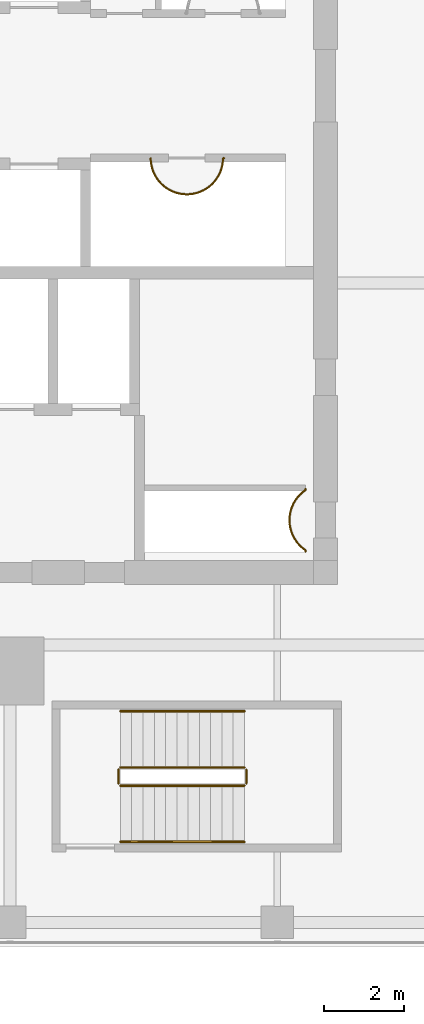
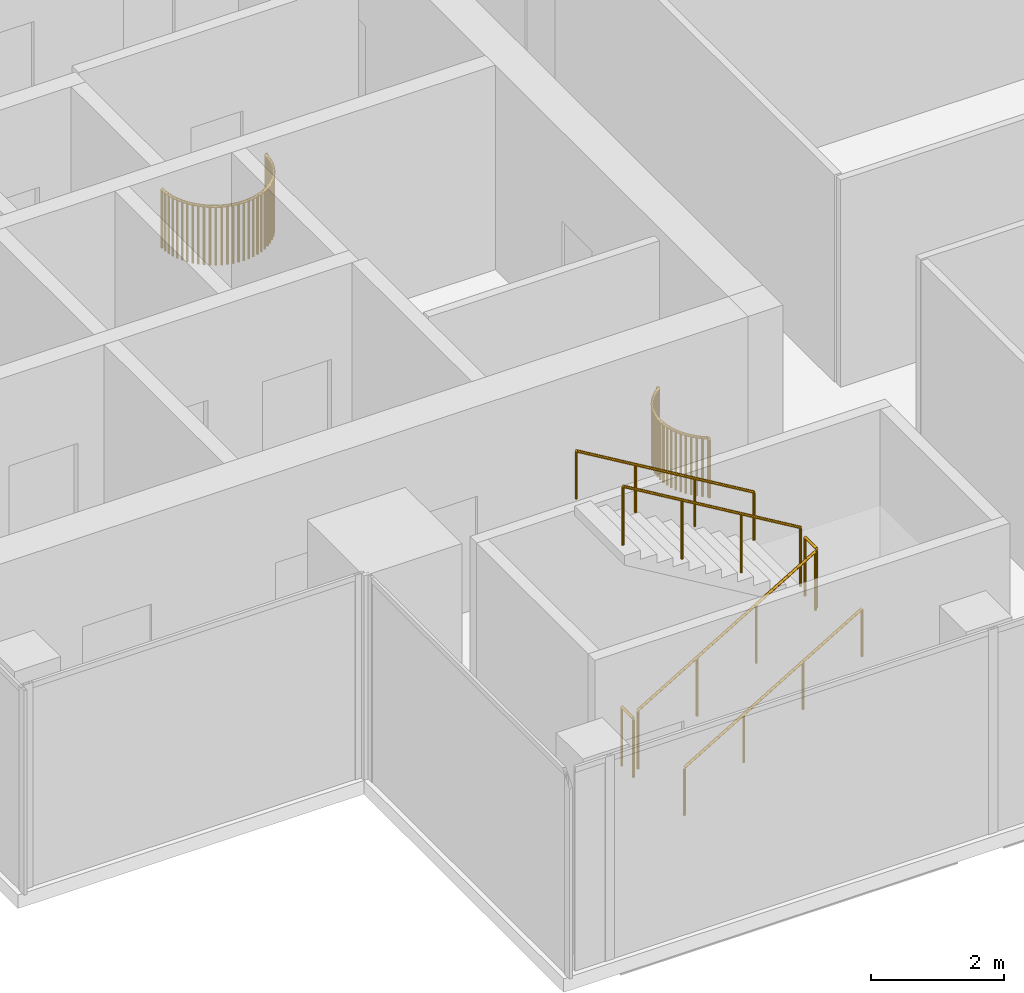
# One storey, part 26 of 28: 8 railings.
"""IFC4 building model written with IfcOpenShell, lengths in metres."""

import ifcopenshell
import ifcopenshell.guid

model = None  # the IFC model being written
_history = None  # IfcOwnerHistory: only IFC2X3 demands one
_inside = {}  # id of a spatial element -> (the spatial element, [elements in it])
_under = {}  # id of a project, library or spatial element -> (it, [spatial elements below it])
_declared = {}  # id of a project -> (the project, [libraries it declares])
_typed = {}  # id of a type object -> (the type object, [elements of that type])
_made_of = {}  # id of a material, layer set ... -> (it, [elements and type objects made of it])


def new_model(schema):
    """Start an empty IFC model of exactly this schema.

    Asked for "IFC4X3", IfcOpenShell would pick the latest addendum, in which some entities
    have other attributes; the version numbers below select the first issue.
    IFC2X3 requires an IfcOwnerHistory on every rooted entity: one is made here for all.
    """
    global model, _history
    if schema == "IFC4X3":
        model = ifcopenshell.file(schema_version=(4, 3, 0, 0))
    else:
        model = ifcopenshell.file(schema=schema)
    _inside.clear()
    _under.clear()
    _declared.clear()
    _typed.clear()
    _made_of.clear()
    _history = None
    if model.schema == "IFC2X3":
        org = make("IfcOrganization", Name="unknown")
        user = make(
            "IfcPersonAndOrganization",
            ThePerson=make("IfcPerson", FamilyName="unknown"),
            TheOrganization=org,
        )
        app = make(
            "IfcApplication",
            ApplicationDeveloper=org,
            Version="unknown",
            ApplicationFullName="unknown",
            ApplicationIdentifier="unknown",
        )
        _history = make(
            "IfcOwnerHistory",
            OwningUser=user,
            OwningApplication=app,
            ChangeAction="ADDED",
            CreationDate=0,
        )
    return model


def make(cls, **values):
    """One entity of the class cls with the attributes given. An attribute that is None is left unset."""
    return model.create_entity(
        cls, **{name: value for name, value in values.items() if value is not None}
    )


def rooted(cls, **values):
    """An entity with a GlobalId (a new one), such as an element, a storey or a relation."""
    return make(cls, GlobalId=ifcopenshell.guid.new(), OwnerHistory=_history, **values)


def si_unit(unit_type, name, prefix=None):
    """IfcSIUnit, for example si_unit("LENGTHUNIT", "METRE", prefix="MILLI")."""
    return make("IfcSIUnit", UnitType=unit_type, Prefix=prefix, Name=name)


def assignment(units):
    """IfcUnitAssignment: the units of a project."""
    return None if units is None else make("IfcUnitAssignment", Units=units)


def point(xyz):
    """IfcCartesianPoint."""
    return None if xyz is None else make("IfcCartesianPoint", Coordinates=xyz)


def direction(xyz):
    """IfcDirection."""
    return None if xyz is None else make("IfcDirection", DirectionRatios=xyz)


def frame(location, z_axis=None, x_axis=None):
    """IfcAxis2Placement3D, a coordinate frame: its origin and axes. An axis left out is left unset."""
    return make(
        "IfcAxis2Placement3D",
        Location=point(location),
        Axis=direction(z_axis),
        RefDirection=direction(x_axis),
    )


def frame_2d(location, x_axis=None):
    """IfcAxis2Placement2D, a coordinate frame in the plane: its origin and x axis."""
    return make(
        "IfcAxis2Placement2D", Location=point(location), RefDirection=direction(x_axis)
    )


def origin():
    """The frame at (0, 0, 0) with its axes left unset."""
    return frame((0.0, 0.0, 0.0))


def origin_2d():
    """The frame at (0, 0) in the plane with its x axis left unset."""
    return frame_2d((0.0, 0.0))


def place(relative_to, where):
    """IfcLocalPlacement: puts the frame where relative to a parent placement (None: the world)."""
    return make(
        "IfcLocalPlacement", PlacementRelTo=relative_to, RelativePlacement=where
    )


def context(
    kind, dimensions, precision=None, world=None, true_north=None, identifier=None
):
    """IfcGeometricRepresentationContext, for example the 3D "Model" context."""
    return make(
        "IfcGeometricRepresentationContext",
        ContextIdentifier=identifier,
        ContextType=kind,
        CoordinateSpaceDimension=dimensions,
        Precision=precision,
        WorldCoordinateSystem=world,
        TrueNorth=true_north,
    )


def subcontext(parent, identifier, kind, view, scale=None):
    """IfcGeometricRepresentationSubContext, for example "Body" below "Model"."""
    return make(
        "IfcGeometricRepresentationSubContext",
        ContextIdentifier=identifier,
        ContextType=kind,
        ParentContext=parent,
        TargetScale=scale,
        TargetView=view,
    )


def project(units=None, contexts=None):
    """IfcProject with its units and contexts."""
    return rooted(
        "IfcProject",
        Name="project",
        RepresentationContexts=contexts,
        UnitsInContext=assignment(units),
    )


def spatial(cls, under=None, at=None, **own):
    """A site, building, storey or space (cls), placed at a placement, below another one or the project."""
    s = rooted(cls, ObjectPlacement=at, **own)
    if under is not None:
        _under.setdefault(under.id(), (under, []))[1].append(s)
    return s


def profile(cls, at=None, kind="AREA", **sizes):
    """A parametric profile (cls). Its sizes go by their IFC names, for example OverallWidth=200.0."""
    return make(cls, ProfileType=kind, Position=at, **sizes)


def circle(**sizes):
    """IfcCircleProfileDef."""
    return profile("IfcCircleProfileDef", **sizes)


def extrude(swept, where, along, depth):
    """IfcExtrudedAreaSolid: the profile swept, set in the frame where, extruded along a direction by depth."""
    return make(
        "IfcExtrudedAreaSolid",
        SweptArea=swept,
        Position=where,
        ExtrudedDirection=direction(along),
        Depth=depth,
    )


def shape(context_of_items, identifier, shape_type, items):
    """IfcShapeRepresentation: the items that make up one representation, for example the "Body"."""
    return make(
        "IfcShapeRepresentation",
        ContextOfItems=context_of_items,
        RepresentationIdentifier=identifier,
        RepresentationType=shape_type,
        Items=items,
    )


def source(mapping_origin, context_of_items, identifier, shape_type, items):
    """IfcRepresentationMap: a shape defined once, which mapped items show again and again."""
    return make(
        "IfcRepresentationMap",
        MappingOrigin=mapping_origin,
        MappedRepresentation=shape(context_of_items, identifier, shape_type, items),
    )


def transform(
    local_origin,
    x_axis=None,
    y_axis=None,
    z_axis=None,
    scale=None,
    scale2=None,
    scale3=None,
    uniform=True,
):
    """IfcCartesianTransformationOperator3D, or its non-uniform kind. x_axis, y_axis, z_axis: its Axis1, 2, 3."""
    if uniform:
        return make(
            "IfcCartesianTransformationOperator3D",
            Axis1=direction(x_axis),
            Axis2=direction(y_axis),
            LocalOrigin=point(local_origin),
            Scale=scale,
            Axis3=direction(z_axis),
        )
    return make(
        "IfcCartesianTransformationOperator3DnonUniform",
        Axis1=direction(x_axis),
        Axis2=direction(y_axis),
        LocalOrigin=point(local_origin),
        Scale=scale,
        Axis3=direction(z_axis),
        Scale2=scale2,
        Scale3=scale3,
    )


def mapped(mapping_source, mapping_target):
    """IfcMappedItem: shows the shape of a source again, moved by a transform."""
    return make(
        "IfcMappedItem", MappingSource=mapping_source, MappingTarget=mapping_target
    )


def material(Name=None, Category=None):
    """IfcMaterial."""
    return make("IfcMaterial", Name=Name, Category=Category)


def made_of(thing, what):
    """Note that an element or type object is made of a material, layer set ...; save() writes the relation."""
    if what is not None:
        _made_of.setdefault(what.id(), (what, []))[1].append(thing)
    return thing


def type_object(cls, material=None, **own):
    """A type object (cls), such as IfcWallType, which elements share."""
    return made_of(rooted(cls, **own), material)


def element(
    cls,
    number,
    at=None,
    inside=None,
    cuts=None,
    type_object=None,
    material=None,
    context=None,
    identifier="Body",
    shape_type=None,
    held_by="IfcProductDefinitionShape",
    body=None,
    shapes=None,
    **own,
):
    """One element of the class cls, such as IfcWall. Its Tag is "e" and its number.

    at: its placement. inside: the storey or other place that contains it. cuts: it is an
    opening in that element (IfcRelVoidsElement). A single representation is given by context,
    identifier, shape_type and body (its items); several are given by shapes. held_by: the class
    of the entity that holds the representations. save() writes the other relations.
    """
    e = rooted(cls, Tag="e%d" % number, ObjectPlacement=at, **own)
    if body is not None:
        shapes = [shape(context, identifier, shape_type, body)]
    if shapes is not None:
        e.Representation = make(held_by, Representations=shapes)
    if inside is not None:
        _inside.setdefault(inside.id(), (inside, []))[1].append(e)
    if cuts is not None:
        rooted(
            "IfcRelVoidsElement", RelatingBuildingElement=cuts, RelatedOpeningElement=e
        )
    if type_object is not None:
        _typed.setdefault(type_object.id(), (type_object, []))[1].append(e)
    return made_of(e, material)


def aggregate(whole, parts):
    """IfcRelAggregates: a whole, such as a stair, and the parts it consists of."""
    return rooted("IfcRelAggregates", RelatingObject=whole, RelatedObjects=parts)


def save(model, path):
    """Write the relations noted so far, then the file.

    IfcRelAggregates (storeys below a building ...), IfcRelContainedInSpatialStructure (elements
    in a storey), IfcRelDefinesByType, IfcRelAssociatesMaterial and IfcRelDeclares: one each for
    every whole, place, type object, material and project.
    """
    for whole, parts in _under.values():
        aggregate(whole, parts)
    for where, things in _inside.values():
        rooted(
            "IfcRelContainedInSpatialStructure",
            RelatedElements=things,
            RelatingStructure=where,
        )
    for kind, things in _typed.values():
        rooted("IfcRelDefinesByType", RelatedObjects=things, RelatingType=kind)
    for what, things in _made_of.values():
        rooted("IfcRelAssociatesMaterial", RelatedObjects=things, RelatingMaterial=what)
    for by, libraries in _declared.values():
        rooted("IfcRelDeclares", RelatingContext=by, RelatedDefinitions=libraries)
    model.write(path)


model = new_model("IFC4")

# Units and contexts
model_context = context("Model", 3, precision=1e-05, world=origin(), true_north=direction((0.0, 1.0)))
body_context = subcontext(model_context, "Body", "Model", "MODEL_VIEW")
ifc_project = project(units=[si_unit("LENGTHUNIT", "METRE"), si_unit("AREAUNIT", "SQUARE_METRE"), si_unit("VOLUMEUNIT", "CUBIC_METRE"), si_unit("PLANEANGLEUNIT", "RADIAN"), si_unit("MASSUNIT", "GRAM", prefix="KILO")], contexts=[model_context])

# Site, building, storey
site_placement = place(None, origin())
site = spatial("IfcSite", under=ifc_project, at=site_placement, CompositionType="ELEMENT")
building_placement = place(site_placement, origin())
building = spatial("IfcBuilding", under=site, at=building_placement, Name="Khomas Fold Tower", CompositionType="ELEMENT")
storey_placement = place(building_placement, frame((0.0, 0.0, 302.199951171875)))
storey = spatial("IfcBuildingStorey", under=building, at=storey_placement, Name="L68", CompositionType="ELEMENT", Elevation=302.199951171875)

# Railings
ifc_material_1 = material(Name="Steel balustrade", Category="steel")
railing_type_1 = type_object("IfcRailingType", Name="Stair guard", PredefinedType="GUARDRAIL", material=ifc_material_1)
shared_shape_1 = source(origin(), body_context, "Body", "SweptSolid", [
    extrude(circle(Radius=0.02392578125, at=origin_2d()), frame((0.0, 0.0, 1.076171875), z_axis=(0.0, 1.0, 0.0), x_axis=(-1.0, 0.0, 0.0)), (0.0, 0.0, 1.0), 0.349853515625),
    extrude(circle(Radius=0.02099609375, at=origin_2d()), origin(), (0.0, 0.0, 1.0), 1.052001953125),
    extrude(circle(Radius=0.02099609375, at=origin_2d()), frame((0.0, 0.349853515625, 0.0)), (0.0, 0.0, 1.0), 1.052001953125),
])
for number, where, name in (
    (1, (18.72998046875, 10.050048828125, 2.0), "L68 ST2 stair guard 2"),
    (2, (15.550048828125, 10.050048828125, 0.0), "L68 ST2 stair guard 4"),
):
    element("IfcRailing", number, at=place(storey_placement, frame(where)), inside=storey, type_object=railing_type_1, Name=name, PredefinedType="GUARDRAIL", context=body_context, shape_type="MappedRepresentation", body=[
        mapped(shared_shape_1, transform((0.0, 0.0, 0.0))),
    ])
shared_shape_2 = source(origin(), body_context, "Body", "SweptSolid", [
    extrude(circle(Radius=0.02392578125, at=origin_2d()), frame((0.0, 0.0, 1.076171875), z_axis=(0.859290745958, 0.0, 0.51148745235), x_axis=(0.0, 1.0, 0.0)), (0.0, 0.0, 1.0), 3.584228515625),
    extrude(circle(Radius=0.02099609375, at=origin_2d()), origin(), (0.0, 0.0, 1.0), 1.052001953125),
    extrude(circle(Radius=0.02099609375, at=origin_2d()), frame((1.026611328125, 0.0, 0.611083984375)), (0.0, 0.0, 1.0), 1.052001953125),
    extrude(circle(Radius=0.02099609375, at=origin_2d()), frame((2.05322265625, 0.0, 1.22216796875)), (0.0, 0.0, 1.0), 1.052001953125),
    extrude(circle(Radius=0.02099609375, at=origin_2d()), frame((3.079833984375, 0.0, 1.833251953125)), (0.0, 0.0, 1.0), 1.052001953125),
])
railing_1_placement = place(storey_placement, frame((15.60009765625, 10.0, 0.166748046875)))
element("IfcRailing", 3, at=railing_1_placement, inside=storey, type_object=railing_type_1, Name="L68 ST2 stair guard 1", PredefinedType="GUARDRAIL", context=body_context, shape_type="MappedRepresentation", body=[
    mapped(shared_shape_2, transform((0.0, 0.0, 0.0))),
])
shared_shape_3 = source(origin(), body_context, "Body", "SweptSolid", [
    extrude(circle(Radius=0.02392578125, at=origin_2d()), frame((0.0, 0.0, 1.076171875), z_axis=(-0.859290745958, 0.0, 0.51148745235), x_axis=(0.0, -1.0, 0.0)), (0.0, 0.0, 1.0), 3.584228515625),
    extrude(circle(Radius=0.02099609375, at=origin_2d()), origin(), (0.0, 0.0, 1.0), 1.052001953125),
    extrude(circle(Radius=0.02099609375, at=origin_2d()), frame((-1.026611328125, 0.0, 0.611083984375)), (0.0, 0.0, 1.0), 1.052001953125),
    extrude(circle(Radius=0.02099609375, at=origin_2d()), frame((-2.05322265625, 0.0, 1.22216796875)), (0.0, 0.0, 1.0), 1.052001953125),
    extrude(circle(Radius=0.02099609375, at=origin_2d()), frame((-3.079833984375, 0.0, 1.833251953125)), (0.0, 0.0, 1.0), 1.052001953125),
])
railing_2_placement = place(storey_placement, frame((18.679931640625, 10.449951171875, 2.166748046875)))
element("IfcRailing", 4, at=railing_2_placement, inside=storey, type_object=railing_type_1, Name="L68 ST2 stair guard 3", PredefinedType="GUARDRAIL", context=body_context, shape_type="MappedRepresentation", body=[
    mapped(shared_shape_3, transform((0.0, 0.0, 0.0))),
])
ifc_material_2 = material(Name="Steel handrail", Category="steel")
railing_type_2 = type_object("IfcRailingType", Name="Stair handrail", PredefinedType="HANDRAIL", material=ifc_material_2)
shared_shape_4 = source(origin(), body_context, "Body", "SweptSolid", [
    extrude(circle(Radius=0.02392578125, at=origin_2d()), frame((0.0, 0.0, 0.8759765625), z_axis=(0.859290745958, 0.0, 0.51148745235), x_axis=(0.0, 1.0, 0.0)), (0.0, 0.0, 1.0), 3.584228515625),
    extrude(circle(Radius=0.02099609375, at=origin_2d()), origin(), (0.0, 0.0, 1.0), 0.851806640625),
    extrude(circle(Radius=0.02099609375, at=origin_2d()), frame((1.026611328125, 0.0, 0.611083984375)), (0.0, 0.0, 1.0), 0.851806640625),
    extrude(circle(Radius=0.02099609375, at=origin_2d()), frame((2.05322265625, 0.0, 1.22216796875)), (0.0, 0.0, 1.0), 0.851806640625),
    extrude(circle(Radius=0.02099609375, at=origin_2d()), frame((3.079833984375, 0.0, 1.833251953125)), (0.0, 0.0, 1.0), 0.851806640625),
])
railing_3_placement = place(storey_placement, frame((15.60009765625, 8.60009765625, 0.166748046875)))
element("IfcRailing", 5, at=railing_3_placement, inside=storey, type_object=railing_type_2, Name="L68 ST2 stair handrail 1", PredefinedType="HANDRAIL", context=body_context, shape_type="MappedRepresentation", body=[
    mapped(shared_shape_4, transform((0.0, 0.0, 0.0))),
])
shared_shape_5 = source(origin(), body_context, "Body", "SweptSolid", [
    extrude(circle(Radius=0.02392578125, at=origin_2d()), frame((0.0, 0.0, 0.8759765625), z_axis=(-0.859290745958, 0.0, 0.51148745235), x_axis=(0.0, -1.0, 0.0)), (0.0, 0.0, 1.0), 3.584228515625),
    extrude(circle(Radius=0.02099609375, at=origin_2d()), origin(), (0.0, 0.0, 1.0), 0.851806640625),
    extrude(circle(Radius=0.02099609375, at=origin_2d()), frame((-1.026611328125, 0.0, 0.611083984375)), (0.0, 0.0, 1.0), 0.851806640625),
    extrude(circle(Radius=0.02099609375, at=origin_2d()), frame((-2.05322265625, 0.0, 1.22216796875)), (0.0, 0.0, 1.0), 0.851806640625),
    extrude(circle(Radius=0.02099609375, at=origin_2d()), frame((-3.079833984375, 0.0, 1.833251953125)), (0.0, 0.0, 1.0), 0.851806640625),
])
railing_4_placement = place(storey_placement, frame((18.679931640625, 11.85009765625, 2.166748046875)))
element("IfcRailing", 6, at=railing_4_placement, inside=storey, type_object=railing_type_2, Name="L68 ST2 stair handrail 2", PredefinedType="HANDRAIL", context=body_context, shape_type="MappedRepresentation", body=[
    mapped(shared_shape_5, transform((0.0, 0.0, 0.0))),
])
ifc_material_3 = material(Name="Steel balustrade", Category="steel")
railing_type_3 = type_object("IfcRailingType", Name="Shaft guard", PredefinedType="GUARDRAIL", material=ifc_material_3)
shared_shape_6 = source(origin(), body_context, "Body", "SweptSolid", [
    extrude(circle(Radius=0.02490234375, at=origin_2d()), frame((0.0, 0.0, 1.0751953125), z_axis=(0.046909628002, -0.998899137451, 0.0), x_axis=(0.998899137451, 0.046909628002, 0.0)), (0.0, 0.0, 1.0), 0.08837890625),
    extrude(circle(Radius=0.02490234375, at=origin_2d()), frame((0.004150390625, -0.08837890625, 1.0751953125), z_axis=(0.146448518259, -0.989218293148, 0.0), x_axis=(0.989218293148, 0.146448518259, 0.0)), (0.0, 0.0, 1.0), 0.08837890625),
    extrude(circle(Radius=0.02490234375, at=origin_2d()), frame((0.01708984375, -0.17578125, 1.0751953125), z_axis=(0.245783216939, -0.969324821859, 0.0), x_axis=(0.969324821859, 0.245783216939, 0.0)), (0.0, 0.0, 1.0), 0.08837890625),
    extrude(circle(Radius=0.02490234375, at=origin_2d()), frame((0.038818359375, -0.261474609375, 1.0751953125), z_axis=(0.335282981086, -0.942117467514, 0.0), x_axis=(0.942117467514, 0.335282981086, 0.0)), (0.0, 0.0, 1.0), 0.088134765625),
    extrude(circle(Radius=0.02490234375, at=origin_2d()), frame((0.068359375, -0.344482421875, 1.0751953125), z_axis=(0.428323905606, -0.903625271828, 0.0), x_axis=(0.903625271828, 0.428323905606, 0.0)), (0.0, 0.0, 1.0), 0.08837890625),
    extrude(circle(Radius=0.02490234375, at=origin_2d()), frame((0.106201171875, -0.42431640625, 1.0751953125), z_axis=(0.514495755428, -0.857492925713, 0.0), x_axis=(0.857492925713, 0.514495755428, 0.0)), (0.0, 0.0, 1.0), 0.08837890625),
    extrude(circle(Radius=0.02490234375, at=origin_2d()), frame((0.151611328125, -0.5, 1.0751953125), z_axis=(0.594235623595, -0.804291006819, 0.0), x_axis=(0.804291006819, 0.594235623595, 0.0)), (0.0, 0.0, 1.0), 0.08837890625),
    extrude(circle(Radius=0.02490234375, at=origin_2d()), frame((0.2041015625, -0.571044921875, 1.0751953125), z_axis=(0.671709119666, -0.740814996175, 0.0), x_axis=(0.740814996175, 0.671709119666, 0.0)), (0.0, 0.0, 1.0), 0.08837890625),
    extrude(circle(Radius=0.02490234375, at=origin_2d()), frame((0.263427734375, -0.636474609375, 1.0751953125), z_axis=(0.740814996175, -0.671709119666, 0.0), x_axis=(0.671709119666, 0.740814996175, 0.0)), (0.0, 0.0, 1.0), 0.08837890625),
    extrude(circle(Radius=0.02490234375, at=origin_2d()), frame((0.328857421875, -0.69580078125, 1.0751953125), z_axis=(0.804291006819, -0.594235623595, 0.0), x_axis=(0.594235623595, 0.804291006819, 0.0)), (0.0, 0.0, 1.0), 0.08837890625),
    extrude(circle(Radius=0.02490234375, at=origin_2d()), frame((0.39990234375, -0.748291015625, 1.0751953125), z_axis=(0.857492925713, -0.514495755428, 0.0), x_axis=(0.514495755428, 0.857492925713, 0.0)), (0.0, 0.0, 1.0), 0.08837890625),
    extrude(circle(Radius=0.02490234375, at=origin_2d()), frame((0.4755859375, -0.793701171875, 1.0751953125), z_axis=(0.903625271828, -0.428323905606, 0.0), x_axis=(0.428323905606, 0.903625271828, 0.0)), (0.0, 0.0, 1.0), 0.08837890625),
    extrude(circle(Radius=0.02490234375, at=origin_2d()), frame((0.555419921875, -0.83154296875, 1.0751953125), z_axis=(0.941554356589, -0.336861089454, 0.0), x_axis=(0.336861089454, 0.941554356589, 0.0)), (0.0, 0.0, 1.0), 0.08837890625),
    extrude(circle(Radius=0.02490234375, at=origin_2d()), frame((0.638671875, -0.861328125, 1.0751953125), z_axis=(0.969979724887, -0.243185799972, 0.0), x_axis=(0.243185799972, 0.969979724887, 0.0)), (0.0, 0.0, 1.0), 0.08837890625),
    extrude(circle(Radius=0.02490234375, at=origin_2d()), frame((0.724365234375, -0.8828125, 1.0751953125), z_axis=(0.989218293148, -0.146448518259, 0.0), x_axis=(0.146448518259, 0.989218293148, 0.0)), (0.0, 0.0, 1.0), 0.08837890625),
    extrude(circle(Radius=0.02490234375, at=origin_2d()), frame((0.811767578125, -0.895751953125, 1.0751953125), z_axis=(0.998759228712, -0.049799629132, 0.0), x_axis=(0.049799629132, 0.998759228712, 0.0)), (0.0, 0.0, 1.0), 0.088134765625),
    extrude(circle(Radius=0.02490234375, at=origin_2d()), frame((0.89990234375, -0.900146484375, 1.0751953125), z_axis=(0.998759228712, 0.049799629132, 0.0), x_axis=(-0.049799629132, 0.998759228712, 0.0)), (0.0, 0.0, 1.0), 0.088134765625),
    extrude(circle(Radius=0.02490234375, at=origin_2d()), frame((0.988037109375, -0.895751953125, 1.0751953125), z_axis=(0.989218293148, 0.146448518259, 0.0), x_axis=(-0.146448518259, 0.989218293148, 0.0)), (0.0, 0.0, 1.0), 0.08837890625),
    extrude(circle(Radius=0.02490234375, at=origin_2d()), frame((1.075439453125, -0.8828125, 1.0751953125), z_axis=(0.969979724887, 0.243185799972, 0.0), x_axis=(-0.243185799972, 0.969979724887, 0.0)), (0.0, 0.0, 1.0), 0.08837890625),
    extrude(circle(Radius=0.02490234375, at=origin_2d()), frame((1.1611328125, -0.861328125, 1.0751953125), z_axis=(0.941554356589, 0.336861089454, 0.0), x_axis=(-0.336861089454, 0.941554356589, 0.0)), (0.0, 0.0, 1.0), 0.08837890625),
    extrude(circle(Radius=0.02490234375, at=origin_2d()), frame((1.244384765625, -0.83154296875, 1.0751953125), z_axis=(0.903625271828, 0.428323905606, 0.0), x_axis=(-0.428323905606, 0.903625271828, 0.0)), (0.0, 0.0, 1.0), 0.08837890625),
    extrude(circle(Radius=0.02490234375, at=origin_2d()), frame((1.32421875, -0.793701171875, 1.0751953125), z_axis=(0.857492925713, 0.514495755428, 0.0), x_axis=(-0.514495755428, 0.857492925713, 0.0)), (0.0, 0.0, 1.0), 0.08837890625),
    extrude(circle(Radius=0.02490234375, at=origin_2d()), frame((1.39990234375, -0.748291015625, 1.0751953125), z_axis=(0.804291006819, 0.594235623595, 0.0), x_axis=(-0.594235623595, 0.804291006819, 0.0)), (0.0, 0.0, 1.0), 0.08837890625),
    extrude(circle(Radius=0.02490234375, at=origin_2d()), frame((1.470947265625, -0.69580078125, 1.0751953125), z_axis=(0.740814996175, 0.671709119666, 0.0), x_axis=(-0.671709119666, 0.740814996175, 0.0)), (0.0, 0.0, 1.0), 0.08837890625),
    extrude(circle(Radius=0.02490234375, at=origin_2d()), frame((1.536376953125, -0.636474609375, 1.0751953125), z_axis=(0.671709119666, 0.740814996175, 0.0), x_axis=(-0.740814996175, 0.671709119666, 0.0)), (0.0, 0.0, 1.0), 0.08837890625),
    extrude(circle(Radius=0.02490234375, at=origin_2d()), frame((1.595703125, -0.571044921875, 1.0751953125), z_axis=(0.594235623595, 0.804291006819, 0.0), x_axis=(-0.804291006819, 0.594235623595, 0.0)), (0.0, 0.0, 1.0), 0.08837890625),
    extrude(circle(Radius=0.02490234375, at=origin_2d()), frame((1.648193359375, -0.5, 1.0751953125), z_axis=(0.514495755428, 0.857492925713, 0.0), x_axis=(-0.857492925713, 0.514495755428, 0.0)), (0.0, 0.0, 1.0), 0.08837890625),
    extrude(circle(Radius=0.02490234375, at=origin_2d()), frame((1.693603515625, -0.42431640625, 1.0751953125), z_axis=(0.428323905606, 0.903625271828, 0.0), x_axis=(-0.903625271828, 0.428323905606, 0.0)), (0.0, 0.0, 1.0), 0.08837890625),
    extrude(circle(Radius=0.02490234375, at=origin_2d()), frame((1.7314453125, -0.344482421875, 1.0751953125), z_axis=(0.335282981086, 0.942117467514, 0.0), x_axis=(-0.942117467514, 0.335282981086, 0.0)), (0.0, 0.0, 1.0), 0.088134765625),
    extrude(circle(Radius=0.02490234375, at=origin_2d()), frame((1.760986328125, -0.261474609375, 1.0751953125), z_axis=(0.245783216939, 0.969324821859, 0.0), x_axis=(-0.969324821859, 0.245783216939, 0.0)), (0.0, 0.0, 1.0), 0.08837890625),
    extrude(circle(Radius=0.02490234375, at=origin_2d()), frame((1.78271484375, -0.17578125, 1.0751953125), z_axis=(0.146448518259, 0.989218293148, 0.0), x_axis=(-0.989218293148, 0.146448518259, 0.0)), (0.0, 0.0, 1.0), 0.08837890625),
    extrude(circle(Radius=0.02490234375, at=origin_2d()), frame((1.795654296875, -0.08837890625, 1.0751953125), z_axis=(0.046909628002, 0.998899137451, 0.0), x_axis=(-0.998899137451, 0.046909628002, 0.0)), (0.0, 0.0, 1.0), 0.08837890625),
    extrude(circle(Radius=0.02490234375, at=origin_2d()), frame((1.7998046875, 0.0, 1.0751953125), z_axis=(1.0, 0.0, 0.0), x_axis=(0.0, 1.0, 0.0)), (0.0, 0.0, 1.0), 0.030029296875),
    extrude(circle(Radius=0.02001953125, at=origin_2d()), origin(), (0.0, 0.0, 1.0), 1.050048828125),
    extrude(circle(Radius=0.02001953125, at=origin_2d()), frame((0.004150390625, -0.08837890625, 0.0)), (0.0, 0.0, 1.0), 1.050048828125),
    extrude(circle(Radius=0.02001953125, at=origin_2d()), frame((0.01708984375, -0.17578125, 0.0)), (0.0, 0.0, 1.0), 1.050048828125),
    extrude(circle(Radius=0.02001953125, at=origin_2d()), frame((0.038818359375, -0.261474609375, 0.0)), (0.0, 0.0, 1.0), 1.050048828125),
    extrude(circle(Radius=0.02001953125, at=origin_2d()), frame((0.068359375, -0.344482421875, 0.0)), (0.0, 0.0, 1.0), 1.050048828125),
    extrude(circle(Radius=0.02001953125, at=origin_2d()), frame((0.106201171875, -0.42431640625, 0.0)), (0.0, 0.0, 1.0), 1.050048828125),
    extrude(circle(Radius=0.02001953125, at=origin_2d()), frame((0.151611328125, -0.5, 0.0)), (0.0, 0.0, 1.0), 1.050048828125),
    extrude(circle(Radius=0.02001953125, at=origin_2d()), frame((0.2041015625, -0.571044921875, 0.0)), (0.0, 0.0, 1.0), 1.050048828125),
    extrude(circle(Radius=0.02001953125, at=origin_2d()), frame((0.263427734375, -0.636474609375, 0.0)), (0.0, 0.0, 1.0), 1.050048828125),
    extrude(circle(Radius=0.02001953125, at=origin_2d()), frame((0.328857421875, -0.69580078125, 0.0)), (0.0, 0.0, 1.0), 1.050048828125),
    extrude(circle(Radius=0.02001953125, at=origin_2d()), frame((0.39990234375, -0.748291015625, 0.0)), (0.0, 0.0, 1.0), 1.050048828125),
    extrude(circle(Radius=0.02001953125, at=origin_2d()), frame((0.4755859375, -0.793701171875, 0.0)), (0.0, 0.0, 1.0), 1.050048828125),
    extrude(circle(Radius=0.02001953125, at=origin_2d()), frame((0.555419921875, -0.83154296875, 0.0)), (0.0, 0.0, 1.0), 1.050048828125),
    extrude(circle(Radius=0.02001953125, at=origin_2d()), frame((0.638671875, -0.861328125, 0.0)), (0.0, 0.0, 1.0), 1.050048828125),
    extrude(circle(Radius=0.02001953125, at=origin_2d()), frame((0.724365234375, -0.8828125, 0.0)), (0.0, 0.0, 1.0), 1.050048828125),
    extrude(circle(Radius=0.02001953125, at=origin_2d()), frame((0.811767578125, -0.895751953125, 0.0)), (0.0, 0.0, 1.0), 1.050048828125),
    extrude(circle(Radius=0.02001953125, at=origin_2d()), frame((0.89990234375, -0.900146484375, 0.0)), (0.0, 0.0, 1.0), 1.050048828125),
    extrude(circle(Radius=0.02001953125, at=origin_2d()), frame((0.988037109375, -0.895751953125, 0.0)), (0.0, 0.0, 1.0), 1.050048828125),
    extrude(circle(Radius=0.02001953125, at=origin_2d()), frame((1.075439453125, -0.8828125, 0.0)), (0.0, 0.0, 1.0), 1.050048828125),
    extrude(circle(Radius=0.02001953125, at=origin_2d()), frame((1.1611328125, -0.861328125, 0.0)), (0.0, 0.0, 1.0), 1.050048828125),
    extrude(circle(Radius=0.02001953125, at=origin_2d()), frame((1.244384765625, -0.83154296875, 0.0)), (0.0, 0.0, 1.0), 1.050048828125),
    extrude(circle(Radius=0.02001953125, at=origin_2d()), frame((1.32421875, -0.793701171875, 0.0)), (0.0, 0.0, 1.0), 1.050048828125),
    extrude(circle(Radius=0.02001953125, at=origin_2d()), frame((1.39990234375, -0.748291015625, 0.0)), (0.0, 0.0, 1.0), 1.050048828125),
    extrude(circle(Radius=0.02001953125, at=origin_2d()), frame((1.470947265625, -0.69580078125, 0.0)), (0.0, 0.0, 1.0), 1.050048828125),
    extrude(circle(Radius=0.02001953125, at=origin_2d()), frame((1.536376953125, -0.636474609375, 0.0)), (0.0, 0.0, 1.0), 1.050048828125),
    extrude(circle(Radius=0.02001953125, at=origin_2d()), frame((1.595703125, -0.571044921875, 0.0)), (0.0, 0.0, 1.0), 1.050048828125),
    extrude(circle(Radius=0.02001953125, at=origin_2d()), frame((1.648193359375, -0.5, 0.0)), (0.0, 0.0, 1.0), 1.050048828125),
    extrude(circle(Radius=0.02001953125, at=origin_2d()), frame((1.693603515625, -0.42431640625, 0.0)), (0.0, 0.0, 1.0), 1.050048828125),
    extrude(circle(Radius=0.02001953125, at=origin_2d()), frame((1.7314453125, -0.344482421875, 0.0)), (0.0, 0.0, 1.0), 1.050048828125),
    extrude(circle(Radius=0.02001953125, at=origin_2d()), frame((1.760986328125, -0.261474609375, 0.0)), (0.0, 0.0, 1.0), 1.050048828125),
    extrude(circle(Radius=0.02001953125, at=origin_2d()), frame((1.78271484375, -0.17578125, 0.0)), (0.0, 0.0, 1.0), 1.050048828125),
    extrude(circle(Radius=0.02001953125, at=origin_2d()), frame((1.795654296875, -0.08837890625, 0.0)), (0.0, 0.0, 1.0), 1.050048828125),
    extrude(circle(Radius=0.02001953125, at=origin_2d()), frame((1.7998046875, 0.0, 0.0)), (0.0, 0.0, 1.0), 1.050048828125),
    extrude(circle(Radius=0.02001953125, at=origin_2d()), frame((1.829833984375, 0.0, 0.0)), (0.0, 0.0, 1.0), 1.050048828125),
])
railing_5_placement = place(storey_placement, frame((16.35009765625, 25.60009765625, 0.0)))
element("IfcRailing", 7, at=railing_5_placement, inside=storey, type_object=railing_type_3, Name="Shaft guard L68 2", PredefinedType="GUARDRAIL", context=body_context, shape_type="MappedRepresentation", body=[
    mapped(shared_shape_6, transform((0.0, 0.0, 0.0))),
])
shared_shape_7 = source(origin(), body_context, "Body", "SweptSolid", [
    extrude(circle(Radius=0.02490234375, at=origin_2d()), frame((0.0, 0.0, 1.0751953125), z_axis=(0.0, -1.0, 0.0), x_axis=(1.0, 0.0, 0.0)), (0.0, 0.0, 1.0), 0.034912109375),
    extrude(circle(Radius=0.02490234375, at=origin_2d()), frame((0.0, -0.034912109375, 1.0751953125), z_axis=(-0.802970227885, -0.596019138224, 0.0), x_axis=(0.596019138224, -0.802970227885, 0.0)), (0.0, 0.0, 1.0), 0.08837890625),
    extrude(circle(Radius=0.02490234375, at=origin_2d()), frame((-0.071044921875, -0.087646484375, 1.0751953125), z_axis=(-0.739563952942, -0.673086294251, 0.0), x_axis=(0.673086294251, -0.739563952942, 0.0)), (0.0, 0.0, 1.0), 0.088134765625),
    extrude(circle(Radius=0.02490234375, at=origin_2d()), frame((-0.13623046875, -0.14697265625, 1.0751953125), z_axis=(-0.671709119666, -0.740814996175, 0.0), x_axis=(0.740814996175, -0.671709119666, 0.0)), (0.0, 0.0, 1.0), 0.08837890625),
    extrude(circle(Radius=0.02490234375, at=origin_2d()), frame((-0.195556640625, -0.21240234375, 1.0751953125), z_axis=(-0.597341843489, -0.801986734315, 0.0), x_axis=(0.801986734315, -0.597341843489, 0.0)), (0.0, 0.0, 1.0), 0.08837890625),
    extrude(circle(Radius=0.02490234375, at=origin_2d()), frame((-0.248291015625, -0.283203125, 1.0751953125), z_axis=(-0.514495755428, -0.857492925713, 0.0), x_axis=(0.857492925713, -0.514495755428, 0.0)), (0.0, 0.0, 1.0), 0.08837890625),
    extrude(circle(Radius=0.02490234375, at=origin_2d()), frame((-0.293701171875, -0.35888671875, 1.0751953125), z_axis=(-0.427256721383, -0.904130352346, 0.0), x_axis=(0.904130352346, -0.427256721383, 0.0)), (0.0, 0.0, 1.0), 0.088623046875),
    extrude(circle(Radius=0.02490234375, at=origin_2d()), frame((-0.33154296875, -0.43896484375, 1.0751953125), z_axis=(-0.335282981086, -0.942117467514, 0.0), x_axis=(0.942117467514, -0.335282981086, 0.0)), (0.0, 0.0, 1.0), 0.088134765625),
    extrude(circle(Radius=0.02490234375, at=origin_2d()), frame((-0.361083984375, -0.52197265625, 1.0751953125), z_axis=(-0.243185799972, -0.969979724887, 0.0), x_axis=(0.969979724887, -0.243185799972, 0.0)), (0.0, 0.0, 1.0), 0.08837890625),
    extrude(circle(Radius=0.02490234375, at=origin_2d()), frame((-0.382568359375, -0.607666015625, 1.0751953125), z_axis=(-0.149150785005, -0.988814463553, 0.0), x_axis=(0.988814463553, -0.149150785005, 0.0)), (0.0, 0.0, 1.0), 0.08837890625),
    extrude(circle(Radius=0.02490234375, at=origin_2d()), frame((-0.395751953125, -0.695068359375, 1.0751953125), z_axis=(-0.047039284441, -0.99889304018, 0.0), x_axis=(0.99889304018, -0.047039284441, 0.0)), (0.0, 0.0, 1.0), 0.088134765625),
    extrude(circle(Radius=0.02490234375, at=origin_2d()), frame((-0.39990234375, -0.783203125, 1.0751953125), z_axis=(0.046909628002, -0.998899137451, 0.0), x_axis=(0.998899137451, 0.046909628002, 0.0)), (0.0, 0.0, 1.0), 0.08837890625),
    extrude(circle(Radius=0.02490234375, at=origin_2d()), frame((-0.395751953125, -0.87158203125, 1.0751953125), z_axis=(0.149150785005, -0.988814463553, 0.0), x_axis=(0.988814463553, 0.149150785005, 0.0)), (0.0, 0.0, 1.0), 0.08837890625),
    extrude(circle(Radius=0.02490234375, at=origin_2d()), frame((-0.382568359375, -0.958984375, 1.0751953125), z_axis=(0.243185799972, -0.969979724887, 0.0), x_axis=(0.969979724887, 0.243185799972, 0.0)), (0.0, 0.0, 1.0), 0.08837890625),
    extrude(circle(Radius=0.02490234375, at=origin_2d()), frame((-0.361083984375, -1.044677734375, 1.0751953125), z_axis=(0.335282981086, -0.942117467514, 0.0), x_axis=(0.942117467514, 0.335282981086, 0.0)), (0.0, 0.0, 1.0), 0.088134765625),
    extrude(circle(Radius=0.02490234375, at=origin_2d()), frame((-0.33154296875, -1.127685546875, 1.0751953125), z_axis=(0.428323905606, -0.903625271828, 0.0), x_axis=(0.903625271828, 0.428323905606, 0.0)), (0.0, 0.0, 1.0), 0.08837890625),
    extrude(circle(Radius=0.02490234375, at=origin_2d()), frame((-0.293701171875, -1.20751953125, 1.0751953125), z_axis=(0.514495755428, -0.857492925713, 0.0), x_axis=(0.857492925713, 0.514495755428, 0.0)), (0.0, 0.0, 1.0), 0.08837890625),
    extrude(circle(Radius=0.02490234375, at=origin_2d()), frame((-0.248291015625, -1.283203125, 1.0751953125), z_axis=(0.596019138224, -0.802970227885, 0.0), x_axis=(0.802970227885, 0.596019138224, 0.0)), (0.0, 0.0, 1.0), 0.08837890625),
    extrude(circle(Radius=0.02490234375, at=origin_2d()), frame((-0.195556640625, -1.354248046875, 1.0751953125), z_axis=(0.671709119666, -0.740814996175, 0.0), x_axis=(0.740814996175, 0.671709119666, 0.0)), (0.0, 0.0, 1.0), 0.08837890625),
    extrude(circle(Radius=0.02490234375, at=origin_2d()), frame((-0.13623046875, -1.419677734375, 1.0751953125), z_axis=(0.739563952942, -0.673086294251, 0.0), x_axis=(0.673086294251, 0.739563952942, 0.0)), (0.0, 0.0, 1.0), 0.088134765625),
    extrude(circle(Radius=0.02490234375, at=origin_2d()), frame((-0.071044921875, -1.47900390625, 1.0751953125), z_axis=(0.804291006819, -0.594235623595, 0.0), x_axis=(0.594235623595, 0.804291006819, 0.0)), (0.0, 0.0, 1.0), 0.08837890625),
    extrude(circle(Radius=0.02490234375, at=origin_2d()), frame((0.0, -1.531494140625, 1.0751953125), z_axis=(0.0, -1.0, 0.0), x_axis=(1.0, 0.0, 0.0)), (0.0, 0.0, 1.0), 0.03515625),
    extrude(circle(Radius=0.02001953125, at=origin_2d()), origin(), (0.0, 0.0, 1.0), 1.050048828125),
    extrude(circle(Radius=0.02001953125, at=origin_2d()), frame((0.0, -0.034912109375, 0.0)), (0.0, 0.0, 1.0), 1.050048828125),
    extrude(circle(Radius=0.02001953125, at=origin_2d()), frame((-0.071044921875, -0.087646484375, 0.0)), (0.0, 0.0, 1.0), 1.050048828125),
    extrude(circle(Radius=0.02001953125, at=origin_2d()), frame((-0.13623046875, -0.14697265625, 0.0)), (0.0, 0.0, 1.0), 1.050048828125),
    extrude(circle(Radius=0.02001953125, at=origin_2d()), frame((-0.195556640625, -0.21240234375, 0.0)), (0.0, 0.0, 1.0), 1.050048828125),
    extrude(circle(Radius=0.02001953125, at=origin_2d()), frame((-0.248291015625, -0.283203125, 0.0)), (0.0, 0.0, 1.0), 1.050048828125),
    extrude(circle(Radius=0.02001953125, at=origin_2d()), frame((-0.293701171875, -0.35888671875, 0.0)), (0.0, 0.0, 1.0), 1.050048828125),
    extrude(circle(Radius=0.02001953125, at=origin_2d()), frame((-0.33154296875, -0.43896484375, 0.0)), (0.0, 0.0, 1.0), 1.050048828125),
    extrude(circle(Radius=0.02001953125, at=origin_2d()), frame((-0.361083984375, -0.52197265625, 0.0)), (0.0, 0.0, 1.0), 1.050048828125),
    extrude(circle(Radius=0.02001953125, at=origin_2d()), frame((-0.382568359375, -0.607666015625, 0.0)), (0.0, 0.0, 1.0), 1.050048828125),
    extrude(circle(Radius=0.02001953125, at=origin_2d()), frame((-0.395751953125, -0.695068359375, 0.0)), (0.0, 0.0, 1.0), 1.050048828125),
    extrude(circle(Radius=0.02001953125, at=origin_2d()), frame((-0.39990234375, -0.783203125, 0.0)), (0.0, 0.0, 1.0), 1.050048828125),
    extrude(circle(Radius=0.02001953125, at=origin_2d()), frame((-0.395751953125, -0.87158203125, 0.0)), (0.0, 0.0, 1.0), 1.050048828125),
    extrude(circle(Radius=0.02001953125, at=origin_2d()), frame((-0.382568359375, -0.958984375, 0.0)), (0.0, 0.0, 1.0), 1.050048828125),
    extrude(circle(Radius=0.02001953125, at=origin_2d()), frame((-0.361083984375, -1.044677734375, 0.0)), (0.0, 0.0, 1.0), 1.050048828125),
    extrude(circle(Radius=0.02001953125, at=origin_2d()), frame((-0.33154296875, -1.127685546875, 0.0)), (0.0, 0.0, 1.0), 1.050048828125),
    extrude(circle(Radius=0.02001953125, at=origin_2d()), frame((-0.293701171875, -1.20751953125, 0.0)), (0.0, 0.0, 1.0), 1.050048828125),
    extrude(circle(Radius=0.02001953125, at=origin_2d()), frame((-0.248291015625, -1.283203125, 0.0)), (0.0, 0.0, 1.0), 1.050048828125),
    extrude(circle(Radius=0.02001953125, at=origin_2d()), frame((-0.195556640625, -1.354248046875, 0.0)), (0.0, 0.0, 1.0), 1.050048828125),
    extrude(circle(Radius=0.02001953125, at=origin_2d()), frame((-0.13623046875, -1.419677734375, 0.0)), (0.0, 0.0, 1.0), 1.050048828125),
    extrude(circle(Radius=0.02001953125, at=origin_2d()), frame((-0.071044921875, -1.47900390625, 0.0)), (0.0, 0.0, 1.0), 1.050048828125),
    extrude(circle(Radius=0.02001953125, at=origin_2d()), frame((0.0, -1.531494140625, 0.0)), (0.0, 0.0, 1.0), 1.050048828125),
    extrude(circle(Radius=0.02001953125, at=origin_2d()), frame((0.0, -1.566650390625, 0.0)), (0.0, 0.0, 1.0), 1.050048828125),
])
railing_6_placement = place(storey_placement, frame((20.199951171875, 17.38330078125, 0.0)))
element("IfcRailing", 8, at=railing_6_placement, inside=storey, type_object=railing_type_3, Name="Shaft guard L68 1", PredefinedType="GUARDRAIL", context=body_context, shape_type="MappedRepresentation", body=[
    mapped(shared_shape_7, transform((0.0, 0.0, 0.0))),
])

save(model, "model.ifc")
